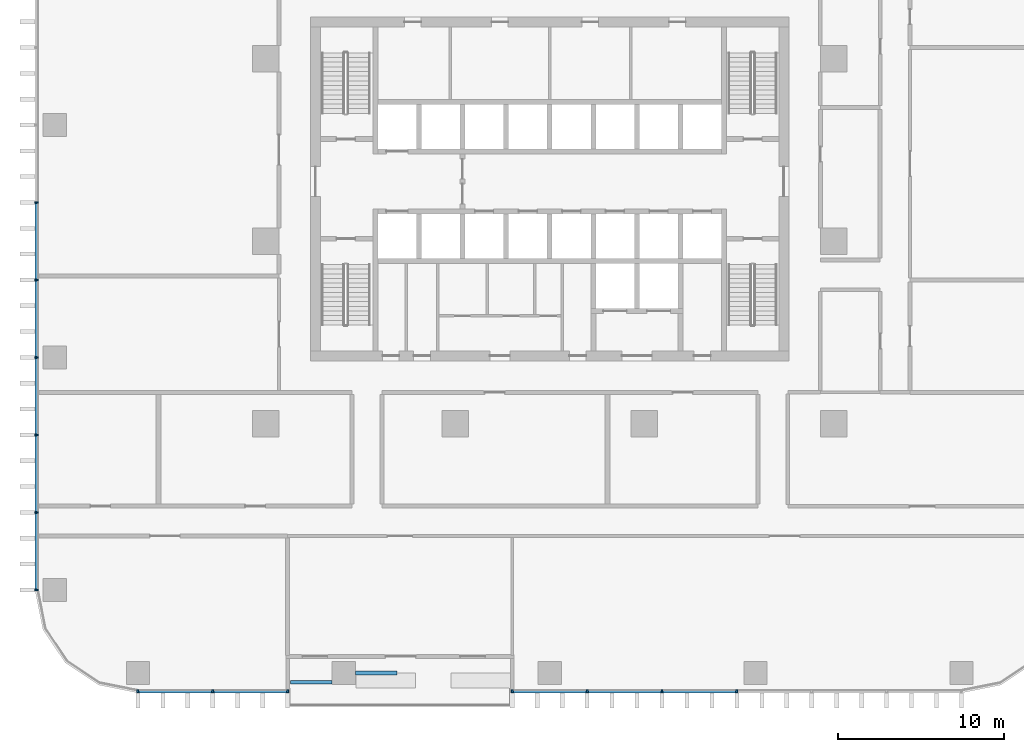
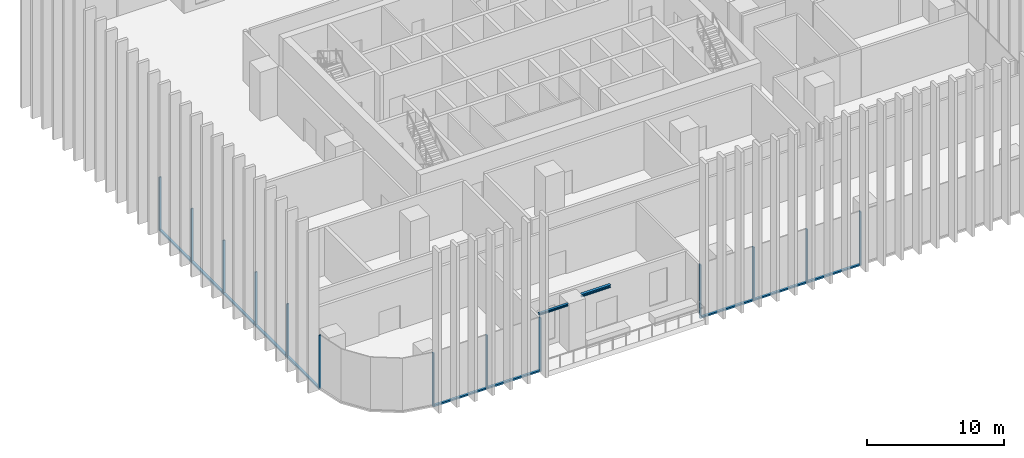
# One storey, part 2 of 16: 23 members, 2 beams, 3 elements without a shape of their own.
"""IFC4 building model written with IfcOpenShell, lengths in metres."""

import ifcopenshell
import ifcopenshell.guid

model = None  # the IFC model being written
_history = None  # IfcOwnerHistory: only IFC2X3 demands one
_inside = {}  # id of a spatial element -> (the spatial element, [elements in it])
_under = {}  # id of a project, library or spatial element -> (it, [spatial elements below it])
_declared = {}  # id of a project -> (the project, [libraries it declares])
_typed = {}  # id of a type object -> (the type object, [elements of that type])
_made_of = {}  # id of a material, layer set ... -> (it, [elements and type objects made of it])


def new_model(schema):
    """Start an empty IFC model of exactly this schema.

    Asked for "IFC4X3", IfcOpenShell would pick the latest addendum, in which some entities
    have other attributes; the version numbers below select the first issue.
    IFC2X3 requires an IfcOwnerHistory on every rooted entity: one is made here for all.
    """
    global model, _history
    if schema == "IFC4X3":
        model = ifcopenshell.file(schema_version=(4, 3, 0, 0))
    else:
        model = ifcopenshell.file(schema=schema)
    _inside.clear()
    _under.clear()
    _declared.clear()
    _typed.clear()
    _made_of.clear()
    _history = None
    if model.schema == "IFC2X3":
        org = make("IfcOrganization", Name="unknown")
        user = make(
            "IfcPersonAndOrganization",
            ThePerson=make("IfcPerson", FamilyName="unknown"),
            TheOrganization=org,
        )
        app = make(
            "IfcApplication",
            ApplicationDeveloper=org,
            Version="unknown",
            ApplicationFullName="unknown",
            ApplicationIdentifier="unknown",
        )
        _history = make(
            "IfcOwnerHistory",
            OwningUser=user,
            OwningApplication=app,
            ChangeAction="ADDED",
            CreationDate=0,
        )
    return model


def make(cls, **values):
    """One entity of the class cls with the attributes given. An attribute that is None is left unset."""
    return model.create_entity(
        cls, **{name: value for name, value in values.items() if value is not None}
    )


def rooted(cls, **values):
    """An entity with a GlobalId (a new one), such as an element, a storey or a relation."""
    return make(cls, GlobalId=ifcopenshell.guid.new(), OwnerHistory=_history, **values)


def si_unit(unit_type, name, prefix=None):
    """IfcSIUnit, for example si_unit("LENGTHUNIT", "METRE", prefix="MILLI")."""
    return make("IfcSIUnit", UnitType=unit_type, Prefix=prefix, Name=name)


def assignment(units):
    """IfcUnitAssignment: the units of a project."""
    return None if units is None else make("IfcUnitAssignment", Units=units)


def point(xyz):
    """IfcCartesianPoint."""
    return None if xyz is None else make("IfcCartesianPoint", Coordinates=xyz)


def direction(xyz):
    """IfcDirection."""
    return None if xyz is None else make("IfcDirection", DirectionRatios=xyz)


def frame(location, z_axis=None, x_axis=None):
    """IfcAxis2Placement3D, a coordinate frame: its origin and axes. An axis left out is left unset."""
    return make(
        "IfcAxis2Placement3D",
        Location=point(location),
        Axis=direction(z_axis),
        RefDirection=direction(x_axis),
    )


def frame_2d(location, x_axis=None):
    """IfcAxis2Placement2D, a coordinate frame in the plane: its origin and x axis."""
    return make(
        "IfcAxis2Placement2D", Location=point(location), RefDirection=direction(x_axis)
    )


def origin():
    """The frame at (0, 0, 0) with its axes left unset."""
    return frame((0.0, 0.0, 0.0))


def origin_2d():
    """The frame at (0, 0) in the plane with its x axis left unset."""
    return frame_2d((0.0, 0.0))


def place(relative_to, where):
    """IfcLocalPlacement: puts the frame where relative to a parent placement (None: the world)."""
    return make(
        "IfcLocalPlacement", PlacementRelTo=relative_to, RelativePlacement=where
    )


def context(
    kind, dimensions, precision=None, world=None, true_north=None, identifier=None
):
    """IfcGeometricRepresentationContext, for example the 3D "Model" context."""
    return make(
        "IfcGeometricRepresentationContext",
        ContextIdentifier=identifier,
        ContextType=kind,
        CoordinateSpaceDimension=dimensions,
        Precision=precision,
        WorldCoordinateSystem=world,
        TrueNorth=true_north,
    )


def subcontext(parent, identifier, kind, view, scale=None):
    """IfcGeometricRepresentationSubContext, for example "Body" below "Model"."""
    return make(
        "IfcGeometricRepresentationSubContext",
        ContextIdentifier=identifier,
        ContextType=kind,
        ParentContext=parent,
        TargetScale=scale,
        TargetView=view,
    )


def project(units=None, contexts=None):
    """IfcProject with its units and contexts."""
    return rooted(
        "IfcProject",
        Name="project",
        RepresentationContexts=contexts,
        UnitsInContext=assignment(units),
    )


def spatial(cls, under=None, at=None, **own):
    """A site, building, storey or space (cls), placed at a placement, below another one or the project."""
    s = rooted(cls, ObjectPlacement=at, **own)
    if under is not None:
        _under.setdefault(under.id(), (under, []))[1].append(s)
    return s


def profile(cls, at=None, kind="AREA", **sizes):
    """A parametric profile (cls). Its sizes go by their IFC names, for example OverallWidth=200.0."""
    return make(cls, ProfileType=kind, Position=at, **sizes)


def rectangle(**sizes):
    """IfcRectangleProfileDef."""
    return profile("IfcRectangleProfileDef", **sizes)


def i_section(**sizes):
    """IfcIShapeProfileDef."""
    return profile("IfcIShapeProfileDef", **sizes)


def extrude(swept, where, along, depth):
    """IfcExtrudedAreaSolid: the profile swept, set in the frame where, extruded along a direction by depth."""
    return make(
        "IfcExtrudedAreaSolid",
        SweptArea=swept,
        Position=where,
        ExtrudedDirection=direction(along),
        Depth=depth,
    )


def shape(context_of_items, identifier, shape_type, items):
    """IfcShapeRepresentation: the items that make up one representation, for example the "Body"."""
    return make(
        "IfcShapeRepresentation",
        ContextOfItems=context_of_items,
        RepresentationIdentifier=identifier,
        RepresentationType=shape_type,
        Items=items,
    )


def material(Name=None, Category=None):
    """IfcMaterial."""
    return make("IfcMaterial", Name=Name, Category=Category)


def material_profile(
    of_material, cross_section, Name=None, Category=None, Priority=None
):
    """IfcMaterialProfile: a cross section and its material."""
    return make(
        "IfcMaterialProfile",
        Name=Name,
        Material=of_material,
        Profile=cross_section,
        Priority=Priority,
        Category=Category,
    )


def profile_set(profiles, Name=None, composite=None):
    """IfcMaterialProfileSet."""
    return make(
        "IfcMaterialProfileSet",
        Name=Name,
        MaterialProfiles=profiles,
        CompositeProfile=composite,
    )


def made_of(thing, what):
    """Note that an element or type object is made of a material, layer set ...; save() writes the relation."""
    if what is not None:
        _made_of.setdefault(what.id(), (what, []))[1].append(thing)
    return thing


def type_object(cls, material=None, **own):
    """A type object (cls), such as IfcWallType, which elements share."""
    return made_of(rooted(cls, **own), material)


def element(
    cls,
    number,
    at=None,
    inside=None,
    cuts=None,
    type_object=None,
    material=None,
    context=None,
    identifier="Body",
    shape_type=None,
    held_by="IfcProductDefinitionShape",
    body=None,
    shapes=None,
    **own,
):
    """One element of the class cls, such as IfcWall. Its Tag is "e" and its number.

    at: its placement. inside: the storey or other place that contains it. cuts: it is an
    opening in that element (IfcRelVoidsElement). A single representation is given by context,
    identifier, shape_type and body (its items); several are given by shapes. held_by: the class
    of the entity that holds the representations. save() writes the other relations.
    """
    e = rooted(cls, Tag="e%d" % number, ObjectPlacement=at, **own)
    if body is not None:
        shapes = [shape(context, identifier, shape_type, body)]
    if shapes is not None:
        e.Representation = make(held_by, Representations=shapes)
    if inside is not None:
        _inside.setdefault(inside.id(), (inside, []))[1].append(e)
    if cuts is not None:
        rooted(
            "IfcRelVoidsElement", RelatingBuildingElement=cuts, RelatedOpeningElement=e
        )
    if type_object is not None:
        _typed.setdefault(type_object.id(), (type_object, []))[1].append(e)
    return made_of(e, material)


def aggregate(whole, parts):
    """IfcRelAggregates: a whole, such as a stair, and the parts it consists of."""
    return rooted("IfcRelAggregates", RelatingObject=whole, RelatedObjects=parts)


def save(model, path):
    """Write the relations noted so far, then the file.

    IfcRelAggregates (storeys below a building ...), IfcRelContainedInSpatialStructure (elements
    in a storey), IfcRelDefinesByType, IfcRelAssociatesMaterial and IfcRelDeclares: one each for
    every whole, place, type object, material and project.
    """
    for whole, parts in _under.values():
        aggregate(whole, parts)
    for where, things in _inside.values():
        rooted(
            "IfcRelContainedInSpatialStructure",
            RelatedElements=things,
            RelatingStructure=where,
        )
    for kind, things in _typed.values():
        rooted("IfcRelDefinesByType", RelatedObjects=things, RelatingType=kind)
    for what, things in _made_of.values():
        rooted("IfcRelAssociatesMaterial", RelatedObjects=things, RelatingMaterial=what)
    for by, libraries in _declared.values():
        rooted("IfcRelDeclares", RelatingContext=by, RelatedDefinitions=libraries)
    model.write(path)


model = new_model("IFC4")

# Units and contexts
model_context = context("Model", 3, precision=1e-05, world=origin(), true_north=direction((0.0, 1.0)))
body_context = subcontext(model_context, "Body", "Model", "MODEL_VIEW")
ifc_project = project(units=[si_unit("LENGTHUNIT", "METRE"), si_unit("AREAUNIT", "SQUARE_METRE"), si_unit("VOLUMEUNIT", "CUBIC_METRE"), si_unit("PLANEANGLEUNIT", "RADIAN"), si_unit("MASSUNIT", "GRAM", prefix="KILO")], contexts=[model_context])

# Site, building, storey
site_placement = place(None, origin())
site = spatial("IfcSite", under=ifc_project, at=site_placement, CompositionType="ELEMENT")
building_placement = place(site_placement, origin())
building = spatial("IfcBuilding", under=site, at=building_placement, Name="Mopane Tessera Tower", CompositionType="ELEMENT")
storey_placement = place(building_placement, frame((0.0, 0.0, 59.800048828125)))
storey = spatial("IfcBuildingStorey", under=building, at=storey_placement, Name="L11", CompositionType="ELEMENT", Elevation=59.800048828125)

# Curtain wall, members
ifc_material_1 = material(Name="Aluminium frame", Category="aluminium")
curtain_wall_type = type_object("IfcCurtainWallType", Name="Lower tower unitised wall", PredefinedType="NOTDEFINED", material=ifc_material_1)
curtain_wall_1_placement = place(storey_placement, origin())
curtain_wall_1 = element("IfcCurtainWall", 1, at=curtain_wall_1_placement, inside=storey, type_object=curtain_wall_type, Name="e:cw:L11:S:0", PredefinedType="NOTDEFINED")
ifc_material_2 = material(Name="Aluminium frame", Category="aluminium")
ifc_material_profile_1 = material_profile(ifc_material_2, rectangle(XDim=0.110107421875, YDim=0.199951171875, at=origin_2d()))
ifc_profile_set_1 = profile_set([ifc_material_profile_1], Name="Aluminium frame")
member_type_1 = type_object("IfcMemberType", Name="Aluminium mullion 110 x 200", PredefinedType="MULLION", material=ifc_profile_set_1)
member_1_placement = place(storey_placement, frame((-24.800048828125, -27.10009765625, -0.449951171875), z_axis=(0.0, 0.0, 1.0), x_axis=(1.0, 0.0, 0.0)))
member_1 = element("IfcMember", 2, at=member_1_placement, type_object=member_type_1, Name="e:cw:L11:S:0:mu0", PredefinedType="MULLION", context=body_context, shape_type="SweptSolid", body=[
    extrude(rectangle(XDim=0.110107421875, YDim=0.199951171875, at=origin_2d()), origin(), (0.0, 0.0, 1.0), 4.7998046875),
])
member_2_placement = place(storey_placement, frame((-20.291015625, -27.10009765625, -0.449951171875), z_axis=(0.0, 0.0, 1.0), x_axis=(1.0, 0.0, 0.0)))
member_2 = element("IfcMember", 3, at=member_2_placement, type_object=member_type_1, Name="e:cw:L11:S:0:mu1", PredefinedType="MULLION", context=body_context, shape_type="SweptSolid", body=[
    extrude(rectangle(XDim=0.110107421875, YDim=0.199951171875, at=origin_2d()), origin(), (0.0, 0.0, 1.0), 4.7998046875),
])
member_3_placement = place(storey_placement, frame((-15.78173828125, -27.10009765625, -0.449951171875), z_axis=(0.0, 0.0, 1.0), x_axis=(1.0, 0.0, 0.0)))
member_3 = element("IfcMember", 4, at=member_3_placement, type_object=member_type_1, Name="e:cw:L11:S:0:mu2", PredefinedType="MULLION", context=body_context, shape_type="SweptSolid", body=[
    extrude(rectangle(XDim=0.110107421875, YDim=0.199951171875, at=origin_2d()), origin(), (0.0, 0.0, 1.0), 4.7998046875),
])

curtain_wall_2_placement = place(storey_placement, origin())
curtain_wall_2 = element("IfcCurtainWall", 5, at=curtain_wall_2_placement, inside=storey, type_object=curtain_wall_type, Name="e:cw:L11:S:5", PredefinedType="NOTDEFINED")
member_4_placement = place(storey_placement, frame((-2.254638671875, -27.10009765625, -0.449951171875), z_axis=(0.0, 0.0, 1.0), x_axis=(1.0, 0.0, 0.0)))
member_4 = element("IfcMember", 6, at=member_4_placement, type_object=member_type_1, Name="e:cw:L11:S:5:mu5", PredefinedType="MULLION", context=body_context, shape_type="SweptSolid", body=[
    extrude(rectangle(XDim=0.110107421875, YDim=0.199951171875, at=origin_2d()), origin(), (0.0, 0.0, 1.0), 4.7998046875),
])
member_5_placement = place(storey_placement, frame((2.254638671875, -27.10009765625, -0.449951171875), z_axis=(0.0, 0.0, 1.0), x_axis=(1.0, 0.0, 0.0)))
member_5 = element("IfcMember", 7, at=member_5_placement, type_object=member_type_1, Name="e:cw:L11:S:5:mu6", PredefinedType="MULLION", context=body_context, shape_type="SweptSolid", body=[
    extrude(rectangle(XDim=0.110107421875, YDim=0.199951171875, at=origin_2d()), origin(), (0.0, 0.0, 1.0), 4.7998046875),
])
member_6_placement = place(storey_placement, frame((6.763671875, -27.10009765625, -0.449951171875), z_axis=(0.0, 0.0, 1.0), x_axis=(1.0, 0.0, 0.0)))
member_6 = element("IfcMember", 8, at=member_6_placement, type_object=member_type_1, Name="e:cw:L11:S:5:mu7", PredefinedType="MULLION", context=body_context, shape_type="SweptSolid", body=[
    extrude(rectangle(XDim=0.110107421875, YDim=0.199951171875, at=origin_2d()), origin(), (0.0, 0.0, 1.0), 4.7998046875),
])
member_7_placement = place(storey_placement, frame((11.272705078125, -27.10009765625, -0.449951171875), z_axis=(0.0, 0.0, 1.0), x_axis=(1.0, 0.0, 0.0)))
member_7 = element("IfcMember", 9, at=member_7_placement, type_object=member_type_1, Name="e:cw:L11:S:5:mu8", PredefinedType="MULLION", context=body_context, shape_type="SweptSolid", body=[
    extrude(rectangle(XDim=0.110107421875, YDim=0.199951171875, at=origin_2d()), origin(), (0.0, 0.0, 1.0), 4.7998046875),
])

curtain_wall_3_placement = place(storey_placement, origin())
curtain_wall_3 = element("IfcCurtainWall", 10, at=curtain_wall_3_placement, inside=storey, type_object=curtain_wall_type, Name="e:cw:L11:W:0", PredefinedType="NOTDEFINED")
member_8_placement = place(storey_placement, frame((-30.89990234375, 2.333251953125, -0.449951171875), z_axis=(0.0, 0.0, 1.0), x_axis=(0.0, -1.0, 0.0)))
member_8 = element("IfcMember", 11, at=member_8_placement, type_object=member_type_1, Name="e:cw:L11:W:0:mu4", PredefinedType="MULLION", context=body_context, shape_type="SweptSolid", body=[
    extrude(rectangle(XDim=0.110107421875, YDim=0.199951171875, at=origin_2d()), origin(), (0.0, 0.0, 1.0), 4.7998046875),
])
member_9_placement = place(storey_placement, frame((-30.89990234375, -2.333251953125, -0.449951171875), z_axis=(0.0, 0.0, 1.0), x_axis=(0.0, -1.0, 0.0)))
member_9 = element("IfcMember", 12, at=member_9_placement, type_object=member_type_1, Name="e:cw:L11:W:0:mu5", PredefinedType="MULLION", context=body_context, shape_type="SweptSolid", body=[
    extrude(rectangle(XDim=0.110107421875, YDim=0.199951171875, at=origin_2d()), origin(), (0.0, 0.0, 1.0), 4.7998046875),
])
member_10_placement = place(storey_placement, frame((-30.89990234375, -7.0, -0.449951171875), z_axis=(0.0, 0.0, 1.0), x_axis=(0.0, -1.0, 0.0)))
member_10 = element("IfcMember", 13, at=member_10_placement, type_object=member_type_1, Name="e:cw:L11:W:0:mu6", PredefinedType="MULLION", context=body_context, shape_type="SweptSolid", body=[
    extrude(rectangle(XDim=0.110107421875, YDim=0.199951171875, at=origin_2d()), origin(), (0.0, 0.0, 1.0), 4.7998046875),
])
member_11_placement = place(storey_placement, frame((-30.89990234375, -11.666748046875, -0.449951171875), z_axis=(0.0, 0.0, 1.0), x_axis=(0.0, -1.0, 0.0)))
member_11 = element("IfcMember", 14, at=member_11_placement, type_object=member_type_1, Name="e:cw:L11:W:0:mu7", PredefinedType="MULLION", context=body_context, shape_type="SweptSolid", body=[
    extrude(rectangle(XDim=0.110107421875, YDim=0.199951171875, at=origin_2d()), origin(), (0.0, 0.0, 1.0), 4.7998046875),
])
member_12_placement = place(storey_placement, frame((-30.89990234375, -16.333251953125, -0.449951171875), z_axis=(0.0, 0.0, 1.0), x_axis=(0.0, -1.0, 0.0)))
member_12 = element("IfcMember", 15, at=member_12_placement, type_object=member_type_1, Name="e:cw:L11:W:0:mu8", PredefinedType="MULLION", context=body_context, shape_type="SweptSolid", body=[
    extrude(rectangle(XDim=0.110107421875, YDim=0.199951171875, at=origin_2d()), origin(), (0.0, 0.0, 1.0), 4.7998046875),
])
member_13_placement = place(storey_placement, frame((-30.89990234375, -21.0, -0.449951171875), z_axis=(0.0, 0.0, 1.0), x_axis=(0.0, -1.0, 0.0)))
member_13 = element("IfcMember", 16, at=member_13_placement, type_object=member_type_1, Name="e:cw:L11:W:0:mu9", PredefinedType="MULLION", context=body_context, shape_type="SweptSolid", body=[
    extrude(rectangle(XDim=0.110107421875, YDim=0.199951171875, at=origin_2d()), origin(), (0.0, 0.0, 1.0), 4.7998046875),
])

# Member
ifc_material_3 = material(Name="Aluminium frame", Category="aluminium")
ifc_material_profile_2 = material_profile(ifc_material_3, rectangle(XDim=0.199951171875, YDim=0.139892578125, at=origin_2d()))
ifc_profile_set_2 = profile_set([ifc_material_profile_2], Name="Aluminium frame")
member_type_2 = type_object("IfcMemberType", Name="Aluminium transom 200 x 140", PredefinedType="USERDEFINED", material=ifc_profile_set_2)
member_14_placement = place(storey_placement, frame((-24.7451171875, -27.10009765625, -0.380126953125), z_axis=(1.0, 0.0, 0.0), x_axis=(0.0, 1.0, 0.0)))
member_14 = element("IfcMember", 17, at=member_14_placement, type_object=member_type_2, Name="e:cw:L11:S:0:tr0", ObjectType="TRANSOM", PredefinedType="USERDEFINED", context=body_context, shape_type="SweptSolid", body=[
    extrude(rectangle(XDim=0.199951171875, YDim=0.139892578125, at=origin_2d()), origin(), (0.0, 0.0, 1.0), 4.399169921875),
])

member_15_placement = place(storey_placement, frame((-20.23583984375, -27.10009765625, -0.380126953125), z_axis=(1.0, 0.0, 0.0), x_axis=(0.0, 1.0, 0.0)))
member_15 = element("IfcMember", 18, at=member_15_placement, type_object=member_type_2, Name="e:cw:L11:S:0:tr1", ObjectType="TRANSOM", PredefinedType="USERDEFINED", context=body_context, shape_type="SweptSolid", body=[
    extrude(rectangle(XDim=0.199951171875, YDim=0.139892578125, at=origin_2d()), origin(), (0.0, 0.0, 1.0), 4.39892578125),
])

aggregate(curtain_wall_1, [member_1, member_2, member_3, member_14, member_15])

member_16_placement = place(storey_placement, frame((-2.199462890625, -27.10009765625, -0.380126953125), z_axis=(1.0, 0.0, 0.0), x_axis=(0.0, 1.0, 0.0)))
member_16 = element("IfcMember", 19, at=member_16_placement, type_object=member_type_2, Name="e:cw:L11:S:5:tr5", ObjectType="TRANSOM", PredefinedType="USERDEFINED", context=body_context, shape_type="SweptSolid", body=[
    extrude(rectangle(XDim=0.199951171875, YDim=0.139892578125, at=origin_2d()), origin(), (0.0, 0.0, 1.0), 4.39892578125),
])

member_17_placement = place(storey_placement, frame((2.3095703125, -27.10009765625, -0.380126953125), z_axis=(1.0, 0.0, 0.0), x_axis=(0.0, 1.0, 0.0)))
member_17 = element("IfcMember", 20, at=member_17_placement, type_object=member_type_2, Name="e:cw:L11:S:5:tr6", ObjectType="TRANSOM", PredefinedType="USERDEFINED", context=body_context, shape_type="SweptSolid", body=[
    extrude(rectangle(XDim=0.199951171875, YDim=0.139892578125, at=origin_2d()), origin(), (0.0, 0.0, 1.0), 4.399169921875),
])

member_18_placement = place(storey_placement, frame((6.818603515625, -27.10009765625, -0.380126953125), z_axis=(1.0, 0.0, 0.0), x_axis=(0.0, 1.0, 0.0)))
member_18 = element("IfcMember", 21, at=member_18_placement, type_object=member_type_2, Name="e:cw:L11:S:5:tr7", ObjectType="TRANSOM", PredefinedType="USERDEFINED", context=body_context, shape_type="SweptSolid", body=[
    extrude(rectangle(XDim=0.199951171875, YDim=0.139892578125, at=origin_2d()), origin(), (0.0, 0.0, 1.0), 4.399169921875),
])

aggregate(curtain_wall_2, [member_4, member_5, member_6, member_7, member_16, member_17, member_18])

member_19_placement = place(storey_placement, frame((-30.89990234375, 2.2783203125, -0.380126953125), z_axis=(0.0, -1.0, 0.0), x_axis=(1.0, 0.0, 0.0)))
member_19 = element("IfcMember", 22, at=member_19_placement, type_object=member_type_2, Name="e:cw:L11:W:0:tr4", ObjectType="TRANSOM", PredefinedType="USERDEFINED", context=body_context, shape_type="SweptSolid", body=[
    extrude(rectangle(XDim=0.199951171875, YDim=0.139892578125, at=origin_2d()), origin(), (0.0, 0.0, 1.0), 4.556640625),
])

member_20_placement = place(storey_placement, frame((-30.89990234375, -2.388427734375, -0.380126953125), z_axis=(0.0, -1.0, 0.0), x_axis=(1.0, 0.0, 0.0)))
member_20 = element("IfcMember", 23, at=member_20_placement, type_object=member_type_2, Name="e:cw:L11:W:0:tr5", ObjectType="TRANSOM", PredefinedType="USERDEFINED", context=body_context, shape_type="SweptSolid", body=[
    extrude(rectangle(XDim=0.199951171875, YDim=0.139892578125, at=origin_2d()), origin(), (0.0, 0.0, 1.0), 4.556640625),
])

member_21_placement = place(storey_placement, frame((-30.89990234375, -7.054931640625, -0.380126953125), z_axis=(0.0, -1.0, 0.0), x_axis=(1.0, 0.0, 0.0)))
member_21 = element("IfcMember", 24, at=member_21_placement, type_object=member_type_2, Name="e:cw:L11:W:0:tr6", ObjectType="TRANSOM", PredefinedType="USERDEFINED", context=body_context, shape_type="SweptSolid", body=[
    extrude(rectangle(XDim=0.199951171875, YDim=0.139892578125, at=origin_2d()), origin(), (0.0, 0.0, 1.0), 4.556640625),
])

member_22_placement = place(storey_placement, frame((-30.89990234375, -11.7216796875, -0.380126953125), z_axis=(0.0, -1.0, 0.0), x_axis=(1.0, 0.0, 0.0)))
member_22 = element("IfcMember", 25, at=member_22_placement, type_object=member_type_2, Name="e:cw:L11:W:0:tr7", ObjectType="TRANSOM", PredefinedType="USERDEFINED", context=body_context, shape_type="SweptSolid", body=[
    extrude(rectangle(XDim=0.199951171875, YDim=0.139892578125, at=origin_2d()), origin(), (0.0, 0.0, 1.0), 4.556640625),
])

member_23_placement = place(storey_placement, frame((-30.89990234375, -16.388427734375, -0.380126953125), z_axis=(0.0, -1.0, 0.0), x_axis=(1.0, 0.0, 0.0)))
member_23 = element("IfcMember", 26, at=member_23_placement, type_object=member_type_2, Name="e:cw:L11:W:0:tr8", ObjectType="TRANSOM", PredefinedType="USERDEFINED", context=body_context, shape_type="SweptSolid", body=[
    extrude(rectangle(XDim=0.199951171875, YDim=0.139892578125, at=origin_2d()), origin(), (0.0, 0.0, 1.0), 4.556640625),
])

aggregate(curtain_wall_3, [member_8, member_9, member_10, member_11, member_12, member_13, member_19, member_20, member_21, member_22, member_23])

# Beams
ifc_material_4 = material(Name="Structural steel S460", Category="steel")
ifc_material_profile_3 = material_profile(ifc_material_4, i_section(OverallWidth=0.239990234375, OverallDepth=0.239990234375, WebThickness=0.010009765625, FlangeThickness=0.01708984375, FilletRadius=0.02099609375, at=origin_2d()))
ifc_profile_set_3 = profile_set([ifc_material_profile_3], Name="Structural steel S460")
beam_type_1 = type_object("IfcBeamType", Name="Terrace spandrel beam HE 240 B", PredefinedType="SPANDREL", material=ifc_profile_set_3)
beam_1_placement = place(storey_placement, frame((-11.697021484375, -26.0, 4.22998046875), z_axis=(1.0, 0.0, 0.0), x_axis=(0.0, 1.0, 0.0)))
element("IfcBeam", 27, at=beam_1_placement, inside=storey, type_object=beam_type_1, Name="Terrace spandrel beam N3 L12", PredefinedType="SPANDREL", context=body_context, shape_type="SweptSolid", body=[
    extrude(i_section(OverallWidth=0.239990234375, OverallDepth=0.239990234375, WebThickness=0.010009765625, FlangeThickness=0.01708984375, FilletRadius=0.02099609375, at=origin_2d()), origin(), (0.0, 0.0, 1.0), 2.5),
])
ifc_material_5 = material(Name="Structural steel S460", Category="steel")
ifc_material_profile_4 = material_profile(ifc_material_5, i_section(OverallWidth=0.199951171875, OverallDepth=0.199951171875, WebThickness=0.009033203125, FlangeThickness=0.014892578125, FilletRadius=0.01806640625, at=origin_2d()))
ifc_profile_set_4 = profile_set([ifc_material_profile_4], Name="Structural steel S460")
beam_type_2 = type_object("IfcBeamType", Name="Terrace trimmer beam HE 200 B", PredefinedType="BEAM", material=ifc_profile_set_4)
beam_2_placement = place(storey_placement, frame((-13.102783203125, -26.56005859375, 4.25), z_axis=(-1.0, 0.0, 0.0), x_axis=(0.0, -1.0, 0.0)))
element("IfcBeam", 28, at=beam_2_placement, inside=storey, type_object=beam_type_2, Name="Terrace trimmer beam N3 L12", PredefinedType="BEAM", context=body_context, shape_type="SweptSolid", body=[
    extrude(i_section(OverallWidth=0.199951171875, OverallDepth=0.199951171875, WebThickness=0.009033203125, FlangeThickness=0.014892578125, FilletRadius=0.01806640625, at=origin_2d()), origin(), (0.0, 0.0, 1.0), 2.5),
])

save(model, "model.ifc")
